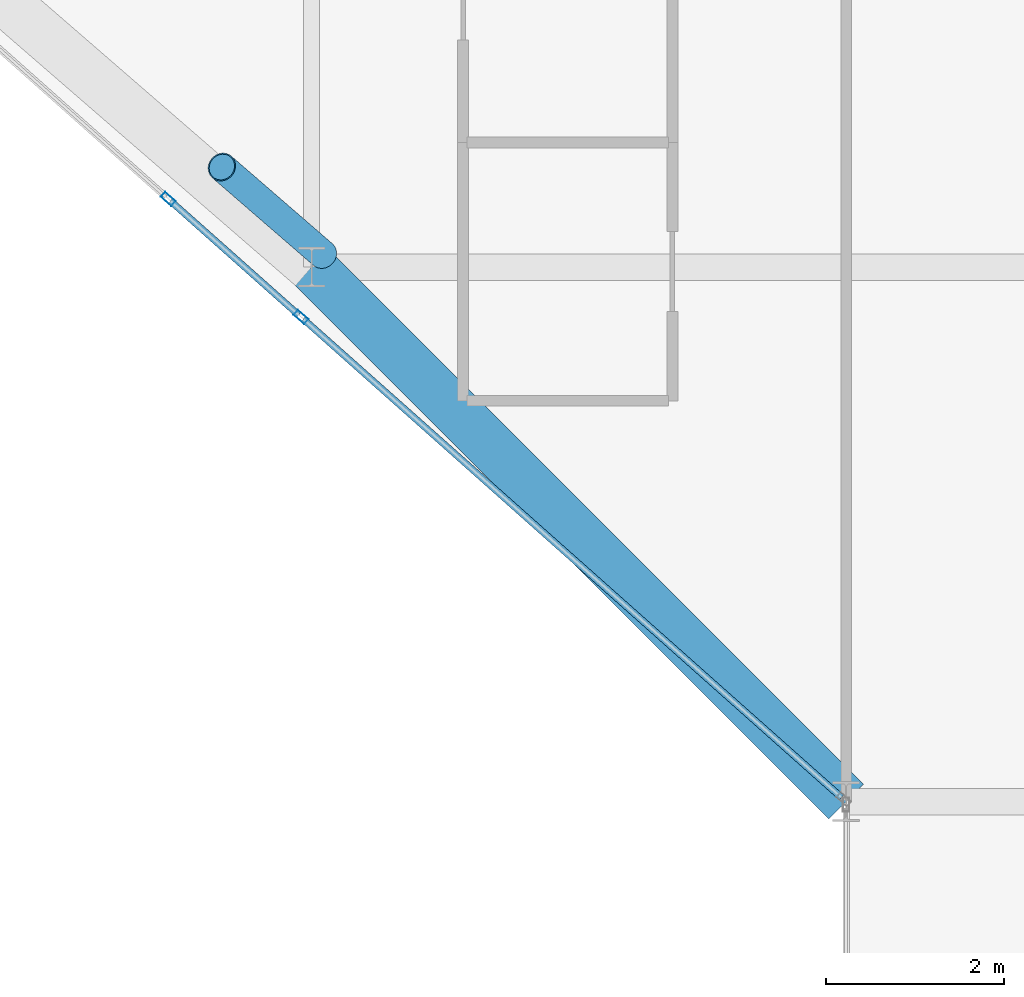
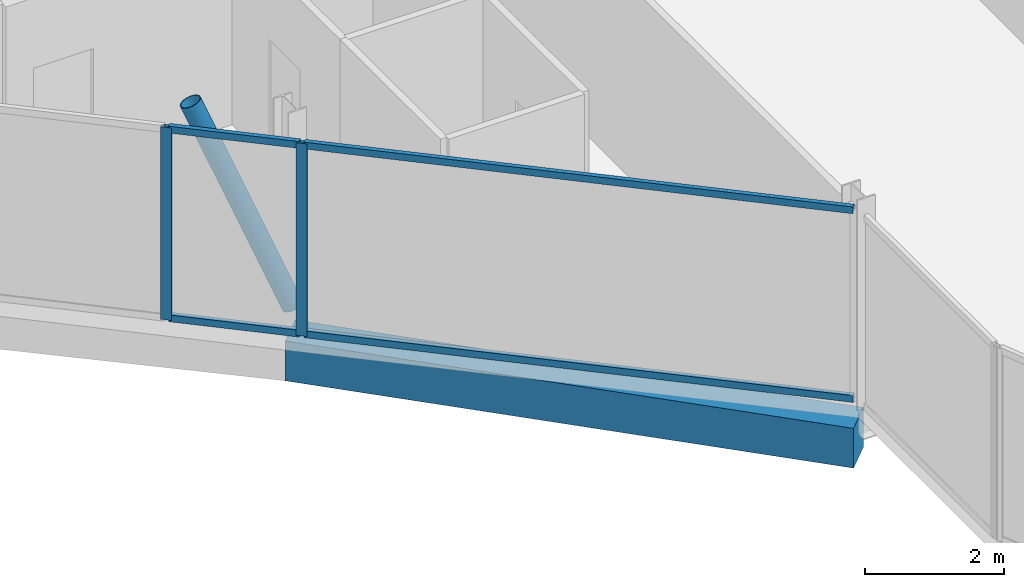
# One storey, part 4 of 29: 7 members, 1 beam, 2 elements without a shape of their own.
"""IFC4 building model written with IfcOpenShell, lengths in metres."""

from ifc_helpers import new_model, si_unit, direction, frame, origin, origin_2d, place, context, subcontext, project, spatial, rectangle, hollow_rectangle, hollow_circle, extrude, material, layer, layer_set, material_profile, profile_set, type_object, element, aggregate, save


model = new_model("IFC4")

# Units and contexts
model_context = context("Model", 3, precision=1e-05, world=origin(), true_north=direction((0.0, 1.0)))
body_context = subcontext(model_context, "Body", "Model", "MODEL_VIEW")
ifc_project = project(units=[si_unit("LENGTHUNIT", "METRE"), si_unit("AREAUNIT", "SQUARE_METRE"), si_unit("VOLUMEUNIT", "CUBIC_METRE"), si_unit("PLANEANGLEUNIT", "RADIAN"), si_unit("MASSUNIT", "GRAM", prefix="KILO")], contexts=[model_context])

# Site, building, storey
site_placement = place(None, origin())
site = spatial("IfcSite", under=ifc_project, at=site_placement, CompositionType="ELEMENT")
building_placement = place(site_placement, origin())
building = spatial("IfcBuilding", under=site, at=building_placement, Name="Keshet Zoharim Tower", CompositionType="ELEMENT")
storey_placement = place(building_placement, frame((0.0, 0.0, 206.89990234375)))
storey = spatial("IfcBuildingStorey", under=building, at=storey_placement, Name="L51", CompositionType="ELEMENT", Elevation=206.89990234375)

# Beam
ifc_material_1 = material(Name="Concrete C50/60", Category="concrete")
ifc_material_profile_1 = material_profile(ifc_material_1, rectangle(XDim=0.550048828125, YDim=0.699951171875, at=origin_2d()), Name="RC700x550")
ifc_profile_set_1 = profile_set([ifc_material_profile_1], Name="Concrete C50/60")
beam_type = type_object("IfcBeamType", Name="BM-SPN-700", PredefinedType="SPANDREL", material=ifc_profile_set_1)
beam_placement = place(storey_placement, frame((21.0, 6.699951171875, -0.659912109375), z_axis=(-0.707106781187, 0.707106781187, 0.0), x_axis=(-0.707106781187, -0.707106781187, 0.0)))
element("IfcBeam", 1, at=beam_placement, inside=storey, type_object=beam_type, Name="L51 Perimeter Spandrel Beam 01", PredefinedType="SPANDREL", context=body_context, shape_type="SweptSolid", body=[
    extrude(rectangle(XDim=0.550048828125, YDim=0.699951171875, at=origin_2d()), origin(), (0.0, 0.0, 1.0), 8.4853515625),
])

# Curtain wall, member
ifc_material_2 = material(Name="Aluminium 6063-T6", Category="aluminium")
ifc_layer = layer(ifc_material_2, 0.139892578125)
ifc_layer_set = layer_set([ifc_layer], Name="Aluminium 6063-T6")
curtain_wall_type = type_object("IfcCurtainWallType", Name="CW-SYS-05", PredefinedType="NOTDEFINED", material=ifc_layer_set)
curtain_wall_1_placement = place(storey_placement, origin())
curtain_wall_1 = element("IfcCurtainWall", 2, at=curtain_wall_1_placement, inside=storey, type_object=curtain_wall_type, Name="L51 Unitised Curtain Wall 10", PredefinedType="NOTDEFINED")
ifc_material_profile_2 = material_profile(ifc_material_2, hollow_rectangle(XDim=0.074951171875, YDim=0.159912109375, WallThickness=0.00390625, at=origin_2d()), Name="MUL-75x160")
ifc_profile_set_2 = profile_set([ifc_material_profile_2], Name="Aluminium 6063-T6")
member_type_1 = type_object("IfcMemberType", Name="CWM-M15", PredefinedType="MULLION", material=ifc_profile_set_2)
member_1_placement = place(storey_placement, frame((14.88037109375, 12.1396484375, 0.0), z_axis=(0.0, 0.0, 1.0), x_axis=(-0.664367613066, -0.74740596379, 0.0)))
member_1 = element("IfcMember", 3, at=member_1_placement, type_object=member_type_1, Name="CW-05 mullion 2", PredefinedType="MULLION", context=body_context, shape_type="SweptSolid", body=[
    extrude(hollow_rectangle(XDim=0.074951171875, YDim=0.159912109375, WallThickness=0.00390625, at=origin_2d()), origin(), (0.0, 0.0, 1.0), 3.39013671875),
])

curtain_wall_2_placement = place(storey_placement, origin())
curtain_wall_2 = element("IfcCurtainWall", 4, at=curtain_wall_2_placement, inside=storey, type_object=curtain_wall_type, Name="L51 Unitised Curtain Wall 10 Part 2", PredefinedType="NOTDEFINED")
member_2_placement = place(storey_placement, frame((13.388427734375, 13.4658203125, 0.0), z_axis=(0.0, 0.0, 1.0), x_axis=(-0.664329634314, -0.747439721297, 0.0)))
member_2 = element("IfcMember", 5, at=member_2_placement, type_object=member_type_1, Name="CW-05 mullion 2", PredefinedType="MULLION", context=body_context, shape_type="SweptSolid", body=[
    extrude(hollow_rectangle(XDim=0.074951171875, YDim=0.159912109375, WallThickness=0.00390625, at=origin_2d()), origin(), (0.0, 0.0, 1.0), 3.39013671875),
])

# Member
ifc_material_profile_3 = material_profile(ifc_material_2, hollow_rectangle(XDim=0.074951171875, YDim=0.1201171875, WallThickness=0.00390625, at=origin_2d()), Name="TRN-75x120")
ifc_profile_set_3 = profile_set([ifc_material_profile_3], Name="Aluminium 6063-T6")
member_type_2 = type_object("IfcMemberType", Name="CWT-T12", PredefinedType="USERDEFINED", material=ifc_profile_set_3)
member_3_placement = place(storey_placement, frame((20.94775390625, 6.74658203125, 0.03515625), z_axis=(-0.747404319135, 0.664369463279, 0.0), x_axis=(-0.664369463279, -0.747404319135, 0.0)))
member_3 = element("IfcMember", 6, at=member_3_placement, type_object=member_type_2, Name="CW-05 transom 1.1", ObjectType="TRANSOM", PredefinedType="USERDEFINED", context=body_context, shape_type="SweptSolid", body=[
    extrude(hollow_rectangle(XDim=0.074951171875, YDim=0.1201171875, WallThickness=0.00390625, at=origin_2d()), origin(), (0.0, 0.0, 1.0), 8.082763671875),
])

member_4_placement = place(storey_placement, frame((20.94775390625, 6.74658203125, 3.35498046875), z_axis=(-0.747404319135, 0.664369463279, 0.0), x_axis=(-0.664369463279, -0.747404319135, 0.0)))
member_4 = element("IfcMember", 7, at=member_4_placement, type_object=member_type_2, Name="CW-05 transom 1.2", ObjectType="TRANSOM", PredefinedType="USERDEFINED", context=body_context, shape_type="SweptSolid", body=[
    extrude(hollow_rectangle(XDim=0.074951171875, YDim=0.1201171875, WallThickness=0.00390625, at=origin_2d()), origin(), (0.0, 0.0, 1.0), 8.082763671875),
])

aggregate(curtain_wall_1, [member_1, member_3, member_4])

member_5_placement = place(storey_placement, frame((14.854248046875, 12.162841796875, 0.03515625), z_axis=(-0.747458269264, 0.664308765341, 0.0), x_axis=(-0.664308765341, -0.747458269264, 0.0)))
member_5 = element("IfcMember", 8, at=member_5_placement, type_object=member_type_2, Name="CW-05 transom 1.1", ObjectType="TRANSOM", PredefinedType="USERDEFINED", context=body_context, shape_type="SweptSolid", body=[
    extrude(hollow_rectangle(XDim=0.074951171875, YDim=0.1201171875, WallThickness=0.00390625, at=origin_2d()), origin(), (0.0, 0.0, 1.0), 1.926025390625),
])

member_6_placement = place(storey_placement, frame((14.854248046875, 12.162841796875, 3.35498046875), z_axis=(-0.747458269264, 0.664308765341, 0.0), x_axis=(-0.664308765341, -0.747458269264, 0.0)))
member_6 = element("IfcMember", 9, at=member_6_placement, type_object=member_type_2, Name="CW-05 transom 1.2", ObjectType="TRANSOM", PredefinedType="USERDEFINED", context=body_context, shape_type="SweptSolid", body=[
    extrude(hollow_rectangle(XDim=0.074951171875, YDim=0.1201171875, WallThickness=0.00390625, at=origin_2d()), origin(), (0.0, 0.0, 1.0), 1.926025390625),
])

aggregate(curtain_wall_2, [member_2, member_5, member_6])

ifc_material_3 = material(Name="Steel S355", Category="steel")
ifc_material_profile_4 = material_profile(ifc_material_3, hollow_circle(Radius=0.161865234375, WallThickness=0.012451171875, at=origin_2d()), Name="CHS323x12.5")
ifc_profile_set_4 = profile_set([ifc_material_profile_4], Name="Steel S355")
member_type_3 = type_object("IfcMemberType", Name="MB-BR-C323", PredefinedType="BRACE", material=ifc_profile_set_4)
member_7_placement = place(storey_placement, frame((15.1259765625, 12.842041015625, 0.0), z_axis=(-0.305901085163, 0.264872801835, 0.914476311855), x_axis=(-0.654589683411, -0.755984355904, 0.0)))
element("IfcMember", 10, at=member_7_placement, inside=storey, type_object=member_type_3, Name="L51 Perimeter Tube Brace 01", PredefinedType="BRACE", context=body_context, shape_type="SweptSolid", body=[
    extrude(hollow_circle(Radius=0.161865234375, WallThickness=0.012451171875, at=origin_2d()), origin(), (0.0, 0.0, 1.0), 3.707275390625),
])

save(model, "model.ifc")
